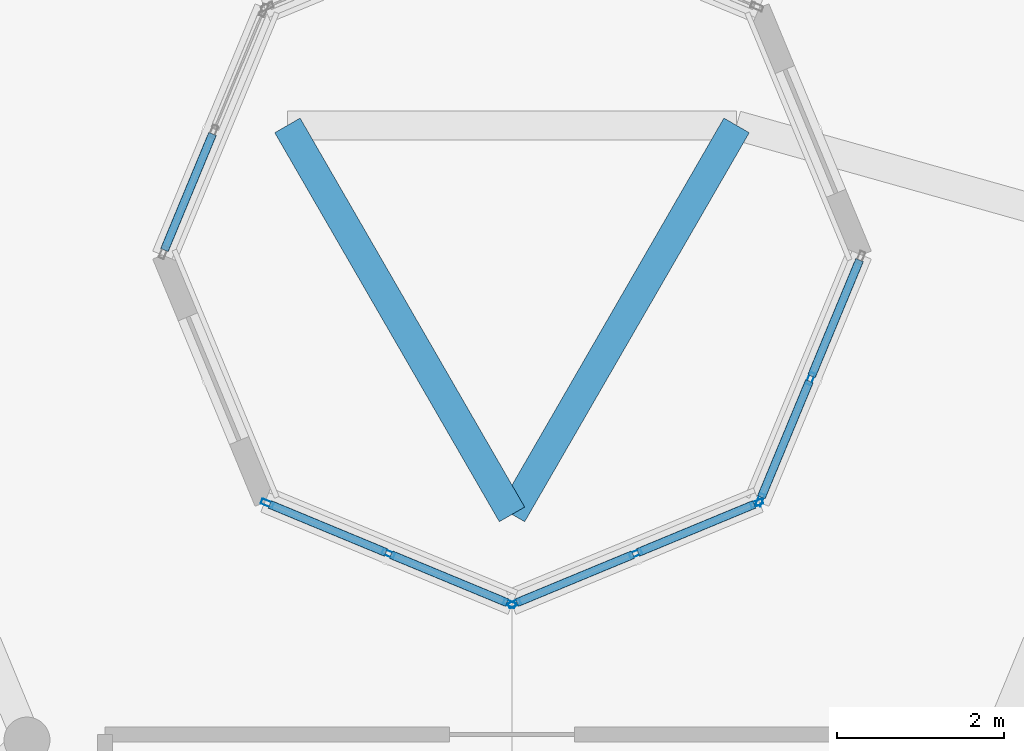
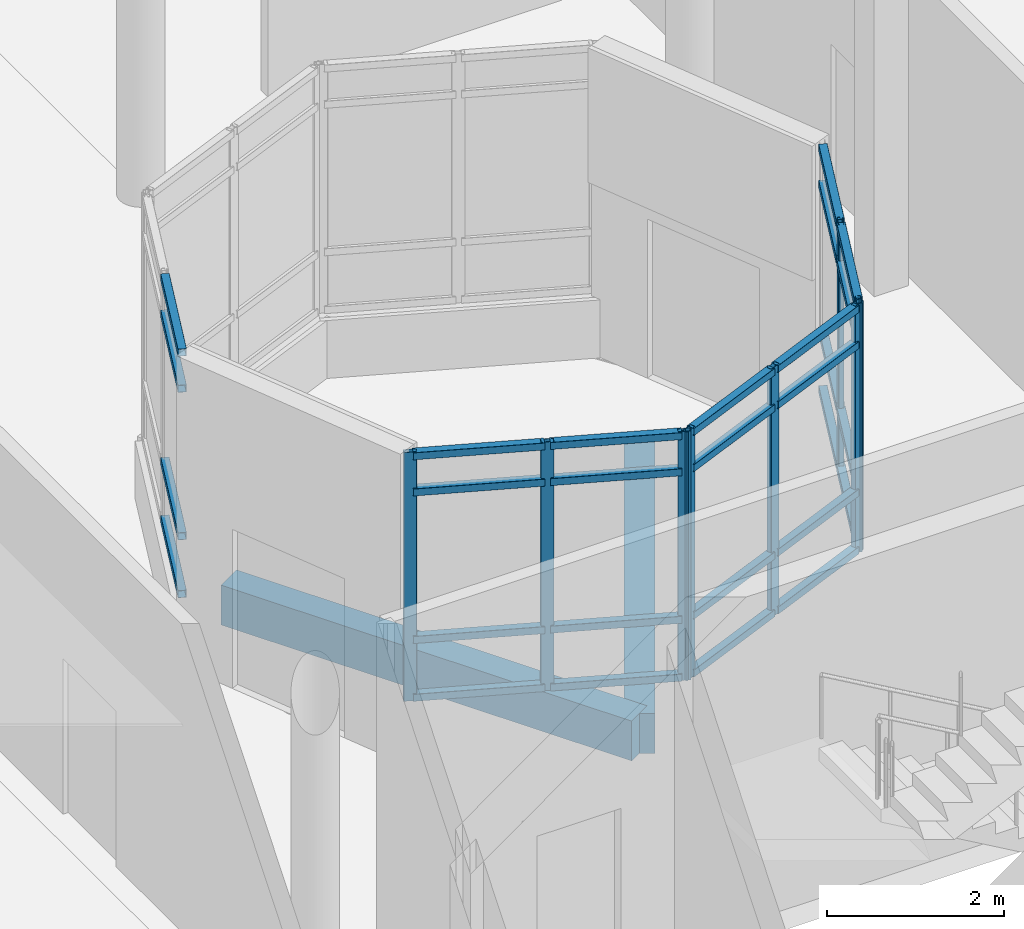
# One storey, part 69 of 129: 36 members, 2 beams, 4 elements without a shape of their own.
"""IFC4 building model written with IfcOpenShell, lengths in metres."""

from ifc_helpers import new_model, si_unit, direction, frame, origin, origin_2d, place, context, subcontext, project, spatial, rectangle, hollow_rectangle, extrude, material, layer, layer_set, material_profile, profile_set, type_object, element, aggregate, save


model = new_model("IFC4")

# Units and contexts
model_context = context("Model", 3, precision=1e-05, world=origin(), true_north=direction((0.0, 1.0)))
body_context = subcontext(model_context, "Body", "Model", "MODEL_VIEW")
ifc_project = project(units=[si_unit("LENGTHUNIT", "METRE"), si_unit("AREAUNIT", "SQUARE_METRE"), si_unit("VOLUMEUNIT", "CUBIC_METRE"), si_unit("PLANEANGLEUNIT", "RADIAN"), si_unit("MASSUNIT", "GRAM", prefix="KILO")], contexts=[model_context])

# Site, building, storey
site_placement = place(None, origin())
site = spatial("IfcSite", under=ifc_project, at=site_placement, CompositionType="ELEMENT")
building_placement = place(site_placement, origin())
building = spatial("IfcBuilding", under=site, at=building_placement, Name="Vespera Passage Community Centre", CompositionType="ELEMENT")
storey_placement = place(building_placement, origin())
storey = spatial("IfcBuildingStorey", under=building, at=storey_placement, Name="L00", CompositionType="ELEMENT", Elevation=0.0)

# Beams
ifc_material_1 = material(Name="Concrete f'c 35 MPa", Category="concrete")
ifc_material_profile_1 = material_profile(ifc_material_1, rectangle(XDim=0.35009765625, YDim=0.550048828125, at=origin_2d()), Name="RC350X550")
ifc_profile_set_1 = profile_set([ifc_material_profile_1], Name="Concrete f'c 35 MPa")
beam_type = type_object("IfcBeamType", Name="BM-J-350X550", PredefinedType="JOIST", material=ifc_profile_set_1)
for number, where, z_axis, x_axis, name in (
    (1, (138.315185546875, 26.550048828125, -0.614990234375), (0.500007141444, -0.86602128063, 0.0), (0.86602128063, 0.500007141444, 0.0), "V3 Courtyard Paving Ring Beam 2"),
    (2, (141.0, 21.89990234375, -0.614990234375), (0.500007141444, 0.86602128063, 0.0), (-0.86602128063, 0.500007141444, 0.0), "V3 Courtyard Paving Ring Beam 3"),
):
    element("IfcBeam", number, at=place(storey_placement, frame(where, z_axis=z_axis, x_axis=x_axis)), inside=storey, type_object=beam_type, Name=name, PredefinedType="JOIST", context=body_context, shape_type="SweptSolid", body=[
        extrude(rectangle(XDim=0.35009765625, YDim=0.550048828125, at=origin_2d()), origin(), (0.0, 0.0, 1.0), 5.36962890625),
    ])

# Curtain wall, members
ifc_material_2 = material(Name="Anodized aluminium 6063-T6", Category="aluminium")
ifc_layer = layer(ifc_material_2, 0.159912109375)
ifc_layer_set = layer_set([ifc_layer], Name="Anodized aluminium 6063-T6")
curtain_wall_type = type_object("IfcCurtainWallType", Name="CW-104E", PredefinedType="NOTDEFINED", material=ifc_layer_set)
curtain_wall_1_placement = place(storey_placement, origin())
curtain_wall_1 = element("IfcCurtainWall", 3, at=curtain_wall_1_placement, inside=storey, type_object=curtain_wall_type, Name="V3 L00 Inner Court Ribbon Curtain Wall 6", PredefinedType="NOTDEFINED")
ifc_material_3 = material(Name="Anodized aluminium 6063-T6", Category="aluminium")
ifc_material_profile_2 = material_profile(ifc_material_3, hollow_rectangle(XDim=0.06494140625, YDim=0.14990234375, WallThickness=0.00390625, InnerFilletRadius=0.001953125, OuterFilletRadius=0.00390625, at=origin_2d()), Name="ALU150X65X4")
ifc_profile_set_2 = profile_set([ifc_material_profile_2], Name="Anodized aluminium 6063-T6")
member_type_1 = type_object("IfcMemberType", Name="MB-CWM-150E", PredefinedType="MULLION", material=ifc_profile_set_2)
member_1_placement = place(storey_placement, frame((138.07421875, 22.031982421875, 0.800048828125), z_axis=(0.0, 0.0, 1.0), x_axis=(0.382685826549, 0.923878540804, 0.0)))
member_1 = element("IfcMember", 4, at=member_1_placement, type_object=member_type_1, Name="CW-104E mullion 1", PredefinedType="MULLION", context=body_context, shape_type="SweptSolid", body=[
    extrude(hollow_rectangle(XDim=0.06494140625, YDim=0.14990234375, WallThickness=0.00390625, InnerFilletRadius=0.001953125, OuterFilletRadius=0.00390625, at=origin_2d()), origin(), (0.0, 0.0, 1.0), 3.43994140625),
])
member_2_placement = place(storey_placement, frame((139.522216796875, 21.43212890625, 0.800048828125), z_axis=(0.0, 0.0, 1.0), x_axis=(0.382685826549, 0.923878540804, 0.0)))
member_2 = element("IfcMember", 5, at=member_2_placement, type_object=member_type_1, Name="CW-104E mullion 2", PredefinedType="MULLION", context=body_context, shape_type="SweptSolid", body=[
    extrude(hollow_rectangle(XDim=0.06494140625, YDim=0.14990234375, WallThickness=0.00390625, InnerFilletRadius=0.001953125, OuterFilletRadius=0.00390625, at=origin_2d()), origin(), (0.0, 0.0, 1.0), 3.43994140625),
])
member_3_placement = place(storey_placement, frame((140.969970703125, 20.83251953125, 0.800048828125), z_axis=(0.0, 0.0, 1.0), x_axis=(0.382685826549, 0.923878540804, 0.0)))
member_3 = element("IfcMember", 6, at=member_3_placement, type_object=member_type_1, Name="CW-104E mullion 3", PredefinedType="MULLION", context=body_context, shape_type="SweptSolid", body=[
    extrude(hollow_rectangle(XDim=0.06494140625, YDim=0.14990234375, WallThickness=0.00390625, InnerFilletRadius=0.001953125, OuterFilletRadius=0.00390625, at=origin_2d()), origin(), (0.0, 0.0, 1.0), 3.43994140625),
])

curtain_wall_2_placement = place(storey_placement, origin())
curtain_wall_2 = element("IfcCurtainWall", 7, at=curtain_wall_2_placement, inside=storey, type_object=curtain_wall_type, Name="V3 L00 Inner Court Ribbon Curtain Wall 7", PredefinedType="NOTDEFINED")
member_4_placement = place(storey_placement, frame((141.030029296875, 20.83251953125, 0.800048828125), z_axis=(0.0, 0.0, 1.0), x_axis=(-0.382685826549, 0.923878540804, 0.0)))
member_4 = element("IfcMember", 8, at=member_4_placement, type_object=member_type_1, Name="CW-104E mullion 1", PredefinedType="MULLION", context=body_context, shape_type="SweptSolid", body=[
    extrude(hollow_rectangle(XDim=0.06494140625, YDim=0.14990234375, WallThickness=0.00390625, InnerFilletRadius=0.001953125, OuterFilletRadius=0.00390625, at=origin_2d()), origin(), (0.0, 0.0, 1.0), 3.43994140625),
])
member_5_placement = place(storey_placement, frame((142.477783203125, 21.43212890625, 0.800048828125), z_axis=(0.0, 0.0, 1.0), x_axis=(-0.382685826549, 0.923878540804, 0.0)))
member_5 = element("IfcMember", 9, at=member_5_placement, type_object=member_type_1, Name="CW-104E mullion 2", PredefinedType="MULLION", context=body_context, shape_type="SweptSolid", body=[
    extrude(hollow_rectangle(XDim=0.06494140625, YDim=0.14990234375, WallThickness=0.00390625, InnerFilletRadius=0.001953125, OuterFilletRadius=0.00390625, at=origin_2d()), origin(), (0.0, 0.0, 1.0), 3.43994140625),
])
member_6_placement = place(storey_placement, frame((143.92578125, 22.031982421875, 0.800048828125), z_axis=(0.0, 0.0, 1.0), x_axis=(-0.382685826549, 0.923878540804, 0.0)))
member_6 = element("IfcMember", 10, at=member_6_placement, type_object=member_type_1, Name="CW-104E mullion 3", PredefinedType="MULLION", context=body_context, shape_type="SweptSolid", body=[
    extrude(hollow_rectangle(XDim=0.06494140625, YDim=0.14990234375, WallThickness=0.00390625, InnerFilletRadius=0.001953125, OuterFilletRadius=0.00390625, at=origin_2d()), origin(), (0.0, 0.0, 1.0), 3.43994140625),
])

curtain_wall_3_placement = place(storey_placement, origin())
curtain_wall_3 = element("IfcCurtainWall", 11, at=curtain_wall_3_placement, inside=storey, type_object=curtain_wall_type, Name="V3 L00 Inner Court Ribbon Curtain Wall 8", PredefinedType="NOTDEFINED")
member_7_placement = place(storey_placement, frame((143.968017578125, 22.07421875, 0.800048828125), z_axis=(0.0, 0.0, 1.0), x_axis=(-0.923878540804, 0.382685826549, 0.0)))
member_7 = element("IfcMember", 12, at=member_7_placement, type_object=member_type_1, Name="CW-104E mullion 1", PredefinedType="MULLION", context=body_context, shape_type="SweptSolid", body=[
    extrude(hollow_rectangle(XDim=0.06494140625, YDim=0.14990234375, WallThickness=0.00390625, InnerFilletRadius=0.001953125, OuterFilletRadius=0.00390625, at=origin_2d()), origin(), (0.0, 0.0, 1.0), 3.43994140625),
])
member_8_placement = place(storey_placement, frame((144.56787109375, 23.522216796875, 0.800048828125), z_axis=(0.0, 0.0, 1.0), x_axis=(-0.923878540804, 0.382685826549, 0.0)))
member_8 = element("IfcMember", 13, at=member_8_placement, type_object=member_type_1, Name="CW-104E mullion 2", PredefinedType="MULLION", context=body_context, shape_type="SweptSolid", body=[
    extrude(hollow_rectangle(XDim=0.06494140625, YDim=0.14990234375, WallThickness=0.00390625, InnerFilletRadius=0.001953125, OuterFilletRadius=0.00390625, at=origin_2d()), origin(), (0.0, 0.0, 1.0), 3.43994140625),
])

curtain_wall_4_placement = place(storey_placement, origin())
curtain_wall_4 = element("IfcCurtainWall", 14, at=curtain_wall_4_placement, inside=storey, type_object=curtain_wall_type, Name="V3 L00 Inner Court Ribbon Curtain Wall 4", PredefinedType="NOTDEFINED")
ifc_material_4 = material(Name="Anodized aluminium 6063-T6", Category="aluminium")
ifc_material_profile_3 = material_profile(ifc_material_4, hollow_rectangle(XDim=0.10009765625, YDim=0.10009765625, WallThickness=0.00390625, InnerFilletRadius=0.001953125, OuterFilletRadius=0.00390625, at=origin_2d()), Name="ALU100X100X4")
ifc_profile_set_3 = profile_set([ifc_material_profile_3], Name="Anodized aluminium 6063-T6")
member_type_2 = type_object("IfcMemberType", Name="MB-CWT-100E", PredefinedType="USERDEFINED", material=ifc_profile_set_3)
member_9_placement = place(storey_placement, frame((137.419677734375, 26.44775390625, 0.85009765625), z_axis=(-0.382629338474, -0.923901937079, 0.0), x_axis=(0.923901937079, -0.382629338474, 0.0)))
member_9 = element("IfcMember", 15, at=member_9_placement, type_object=member_type_2, Name="CW-104E transom 2.1", ObjectType="TRANSOM", PredefinedType="USERDEFINED", context=body_context, shape_type="SweptSolid", body=[
    extrude(hollow_rectangle(XDim=0.10009765625, YDim=0.10009765625, WallThickness=0.00390625, InnerFilletRadius=0.001953125, OuterFilletRadius=0.00390625, at=origin_2d()), origin(), (0.0, 0.0, 1.0), 1.501953125),
])
member_10_placement = place(storey_placement, frame((137.419677734375, 26.44775390625, 1.64990234375), z_axis=(-0.382629338474, -0.923901937079, 0.0), x_axis=(0.923901937079, -0.382629338474, 0.0)))
member_10 = element("IfcMember", 16, at=member_10_placement, type_object=member_type_2, Name="CW-104E transom 2.2", ObjectType="TRANSOM", PredefinedType="USERDEFINED", context=body_context, shape_type="SweptSolid", body=[
    extrude(hollow_rectangle(XDim=0.10009765625, YDim=0.10009765625, WallThickness=0.00390625, InnerFilletRadius=0.001953125, OuterFilletRadius=0.00390625, at=origin_2d()), origin(), (0.0, 0.0, 1.0), 1.501953125),
])
member_11_placement = place(storey_placement, frame((137.419677734375, 26.44775390625, 3.68994140625), z_axis=(-0.382629338474, -0.923901937079, 0.0), x_axis=(0.923901937079, -0.382629338474, 0.0)))
member_11 = element("IfcMember", 17, at=member_11_placement, type_object=member_type_2, Name="CW-104E transom 2.3", ObjectType="TRANSOM", PredefinedType="USERDEFINED", context=body_context, shape_type="SweptSolid", body=[
    extrude(hollow_rectangle(XDim=0.10009765625, YDim=0.10009765625, WallThickness=0.00390625, InnerFilletRadius=0.001953125, OuterFilletRadius=0.00390625, at=origin_2d()), origin(), (0.0, 0.0, 1.0), 1.501953125),
])
member_12_placement = place(storey_placement, frame((137.419677734375, 26.44775390625, 4.18994140625), z_axis=(-0.382629338474, -0.923901937079, 0.0), x_axis=(0.923901937079, -0.382629338474, 0.0)))
member_12 = element("IfcMember", 18, at=member_12_placement, type_object=member_type_2, Name="CW-104E transom 2.4", ObjectType="TRANSOM", PredefinedType="USERDEFINED", context=body_context, shape_type="SweptSolid", body=[
    extrude(hollow_rectangle(XDim=0.10009765625, YDim=0.10009765625, WallThickness=0.00390625, InnerFilletRadius=0.001953125, OuterFilletRadius=0.00390625, at=origin_2d()), origin(), (0.0, 0.0, 1.0), 1.501953125),
])
aggregate(curtain_wall_4, [member_9, member_10, member_11, member_12])

# Member
member_13_placement = place(storey_placement, frame((138.104248046875, 22.01953125, 0.85009765625), z_axis=(0.923868276622, -0.382710605355, 0.0), x_axis=(0.382710605355, 0.923868276622, 0.0)))
member_13 = element("IfcMember", 19, at=member_13_placement, type_object=member_type_2, Name="CW-104E transom 1.1", ObjectType="TRANSOM", PredefinedType="USERDEFINED", context=body_context, shape_type="SweptSolid", body=[
    extrude(hollow_rectangle(XDim=0.10009765625, YDim=0.10009765625, WallThickness=0.00390625, InnerFilletRadius=0.001953125, OuterFilletRadius=0.00390625, at=origin_2d()), origin(), (0.0, 0.0, 1.0), 1.502197265625),
])

member_14_placement = place(storey_placement, frame((138.104248046875, 22.01953125, 1.64990234375), z_axis=(0.923868276622, -0.382710605355, 0.0), x_axis=(0.382710605355, 0.923868276622, 0.0)))
member_14 = element("IfcMember", 20, at=member_14_placement, type_object=member_type_2, Name="CW-104E transom 1.2", ObjectType="TRANSOM", PredefinedType="USERDEFINED", context=body_context, shape_type="SweptSolid", body=[
    extrude(hollow_rectangle(XDim=0.10009765625, YDim=0.10009765625, WallThickness=0.00390625, InnerFilletRadius=0.001953125, OuterFilletRadius=0.00390625, at=origin_2d()), origin(), (0.0, 0.0, 1.0), 1.502197265625),
])

member_15_placement = place(storey_placement, frame((138.104248046875, 22.01953125, 3.68994140625), z_axis=(0.923868276622, -0.382710605355, 0.0), x_axis=(0.382710605355, 0.923868276622, 0.0)))
member_15 = element("IfcMember", 21, at=member_15_placement, type_object=member_type_2, Name="CW-104E transom 1.3", ObjectType="TRANSOM", PredefinedType="USERDEFINED", context=body_context, shape_type="SweptSolid", body=[
    extrude(hollow_rectangle(XDim=0.10009765625, YDim=0.10009765625, WallThickness=0.00390625, InnerFilletRadius=0.001953125, OuterFilletRadius=0.00390625, at=origin_2d()), origin(), (0.0, 0.0, 1.0), 1.502197265625),
])

member_16_placement = place(storey_placement, frame((138.104248046875, 22.01953125, 4.18994140625), z_axis=(0.923868276622, -0.382710605355, 0.0), x_axis=(0.382710605355, 0.923868276622, 0.0)))
member_16 = element("IfcMember", 22, at=member_16_placement, type_object=member_type_2, Name="CW-104E transom 1.4", ObjectType="TRANSOM", PredefinedType="USERDEFINED", context=body_context, shape_type="SweptSolid", body=[
    extrude(hollow_rectangle(XDim=0.10009765625, YDim=0.10009765625, WallThickness=0.00390625, InnerFilletRadius=0.001953125, OuterFilletRadius=0.00390625, at=origin_2d()), origin(), (0.0, 0.0, 1.0), 1.502197265625),
])

member_17_placement = place(storey_placement, frame((139.55224609375, 21.419677734375, 0.85009765625), z_axis=(0.923901937079, -0.382629338474, 0.0), x_axis=(0.382629338474, 0.923901937079, 0.0)))
member_17 = element("IfcMember", 23, at=member_17_placement, type_object=member_type_2, Name="CW-104E transom 2.1", ObjectType="TRANSOM", PredefinedType="USERDEFINED", context=body_context, shape_type="SweptSolid", body=[
    extrude(hollow_rectangle(XDim=0.10009765625, YDim=0.10009765625, WallThickness=0.00390625, InnerFilletRadius=0.001953125, OuterFilletRadius=0.00390625, at=origin_2d()), origin(), (0.0, 0.0, 1.0), 1.501953125),
])

member_18_placement = place(storey_placement, frame((139.55224609375, 21.419677734375, 1.64990234375), z_axis=(0.923901937079, -0.382629338474, 0.0), x_axis=(0.382629338474, 0.923901937079, 0.0)))
member_18 = element("IfcMember", 24, at=member_18_placement, type_object=member_type_2, Name="CW-104E transom 2.2", ObjectType="TRANSOM", PredefinedType="USERDEFINED", context=body_context, shape_type="SweptSolid", body=[
    extrude(hollow_rectangle(XDim=0.10009765625, YDim=0.10009765625, WallThickness=0.00390625, InnerFilletRadius=0.001953125, OuterFilletRadius=0.00390625, at=origin_2d()), origin(), (0.0, 0.0, 1.0), 1.501953125),
])

member_19_placement = place(storey_placement, frame((139.55224609375, 21.419677734375, 3.68994140625), z_axis=(0.923901937079, -0.382629338474, 0.0), x_axis=(0.382629338474, 0.923901937079, 0.0)))
member_19 = element("IfcMember", 25, at=member_19_placement, type_object=member_type_2, Name="CW-104E transom 2.3", ObjectType="TRANSOM", PredefinedType="USERDEFINED", context=body_context, shape_type="SweptSolid", body=[
    extrude(hollow_rectangle(XDim=0.10009765625, YDim=0.10009765625, WallThickness=0.00390625, InnerFilletRadius=0.001953125, OuterFilletRadius=0.00390625, at=origin_2d()), origin(), (0.0, 0.0, 1.0), 1.501953125),
])

member_20_placement = place(storey_placement, frame((139.55224609375, 21.419677734375, 4.18994140625), z_axis=(0.923901937079, -0.382629338474, 0.0), x_axis=(0.382629338474, 0.923901937079, 0.0)))
member_20 = element("IfcMember", 26, at=member_20_placement, type_object=member_type_2, Name="CW-104E transom 2.4", ObjectType="TRANSOM", PredefinedType="USERDEFINED", context=body_context, shape_type="SweptSolid", body=[
    extrude(hollow_rectangle(XDim=0.10009765625, YDim=0.10009765625, WallThickness=0.00390625, InnerFilletRadius=0.001953125, OuterFilletRadius=0.00390625, at=origin_2d()), origin(), (0.0, 0.0, 1.0), 1.501953125),
])

aggregate(curtain_wall_1, [member_1, member_2, member_3, member_13, member_14, member_15, member_16, member_17, member_18, member_19, member_20])

member_21_placement = place(storey_placement, frame((141.06005859375, 20.844970703125, 0.85009765625), z_axis=(0.923901937079, 0.382629338474, 0.0), x_axis=(-0.382629338474, 0.923901937079, 0.0)))
member_21 = element("IfcMember", 27, at=member_21_placement, type_object=member_type_2, Name="CW-104E transom 1.1", ObjectType="TRANSOM", PredefinedType="USERDEFINED", context=body_context, shape_type="SweptSolid", body=[
    extrude(hollow_rectangle(XDim=0.10009765625, YDim=0.10009765625, WallThickness=0.00390625, InnerFilletRadius=0.001953125, OuterFilletRadius=0.00390625, at=origin_2d()), origin(), (0.0, 0.0, 1.0), 1.501953125),
])

member_22_placement = place(storey_placement, frame((141.06005859375, 20.844970703125, 1.64990234375), z_axis=(0.923901937079, 0.382629338474, 0.0), x_axis=(-0.382629338474, 0.923901937079, 0.0)))
member_22 = element("IfcMember", 28, at=member_22_placement, type_object=member_type_2, Name="CW-104E transom 1.2", ObjectType="TRANSOM", PredefinedType="USERDEFINED", context=body_context, shape_type="SweptSolid", body=[
    extrude(hollow_rectangle(XDim=0.10009765625, YDim=0.10009765625, WallThickness=0.00390625, InnerFilletRadius=0.001953125, OuterFilletRadius=0.00390625, at=origin_2d()), origin(), (0.0, 0.0, 1.0), 1.501953125),
])

member_23_placement = place(storey_placement, frame((141.06005859375, 20.844970703125, 3.68994140625), z_axis=(0.923901937079, 0.382629338474, 0.0), x_axis=(-0.382629338474, 0.923901937079, 0.0)))
member_23 = element("IfcMember", 29, at=member_23_placement, type_object=member_type_2, Name="CW-104E transom 1.3", ObjectType="TRANSOM", PredefinedType="USERDEFINED", context=body_context, shape_type="SweptSolid", body=[
    extrude(hollow_rectangle(XDim=0.10009765625, YDim=0.10009765625, WallThickness=0.00390625, InnerFilletRadius=0.001953125, OuterFilletRadius=0.00390625, at=origin_2d()), origin(), (0.0, 0.0, 1.0), 1.501953125),
])

member_24_placement = place(storey_placement, frame((141.06005859375, 20.844970703125, 4.18994140625), z_axis=(0.923901937079, 0.382629338474, 0.0), x_axis=(-0.382629338474, 0.923901937079, 0.0)))
member_24 = element("IfcMember", 30, at=member_24_placement, type_object=member_type_2, Name="CW-104E transom 1.4", ObjectType="TRANSOM", PredefinedType="USERDEFINED", context=body_context, shape_type="SweptSolid", body=[
    extrude(hollow_rectangle(XDim=0.10009765625, YDim=0.10009765625, WallThickness=0.00390625, InnerFilletRadius=0.001953125, OuterFilletRadius=0.00390625, at=origin_2d()), origin(), (0.0, 0.0, 1.0), 1.501953125),
])

member_25_placement = place(storey_placement, frame((142.5078125, 21.444580078125, 0.85009765625), z_axis=(0.923868276622, 0.382710605355, 0.0), x_axis=(-0.382710605355, 0.923868276622, 0.0)))
member_25 = element("IfcMember", 31, at=member_25_placement, type_object=member_type_2, Name="CW-104E transom 2.1", ObjectType="TRANSOM", PredefinedType="USERDEFINED", context=body_context, shape_type="SweptSolid", body=[
    extrude(hollow_rectangle(XDim=0.10009765625, YDim=0.10009765625, WallThickness=0.00390625, InnerFilletRadius=0.001953125, OuterFilletRadius=0.00390625, at=origin_2d()), origin(), (0.0, 0.0, 1.0), 1.502197265625),
])

member_26_placement = place(storey_placement, frame((142.5078125, 21.444580078125, 1.64990234375), z_axis=(0.923868276622, 0.382710605355, 0.0), x_axis=(-0.382710605355, 0.923868276622, 0.0)))
member_26 = element("IfcMember", 32, at=member_26_placement, type_object=member_type_2, Name="CW-104E transom 2.2", ObjectType="TRANSOM", PredefinedType="USERDEFINED", context=body_context, shape_type="SweptSolid", body=[
    extrude(hollow_rectangle(XDim=0.10009765625, YDim=0.10009765625, WallThickness=0.00390625, InnerFilletRadius=0.001953125, OuterFilletRadius=0.00390625, at=origin_2d()), origin(), (0.0, 0.0, 1.0), 1.502197265625),
])

member_27_placement = place(storey_placement, frame((142.5078125, 21.444580078125, 3.68994140625), z_axis=(0.923868276622, 0.382710605355, 0.0), x_axis=(-0.382710605355, 0.923868276622, 0.0)))
member_27 = element("IfcMember", 33, at=member_27_placement, type_object=member_type_2, Name="CW-104E transom 2.3", ObjectType="TRANSOM", PredefinedType="USERDEFINED", context=body_context, shape_type="SweptSolid", body=[
    extrude(hollow_rectangle(XDim=0.10009765625, YDim=0.10009765625, WallThickness=0.00390625, InnerFilletRadius=0.001953125, OuterFilletRadius=0.00390625, at=origin_2d()), origin(), (0.0, 0.0, 1.0), 1.502197265625),
])

member_28_placement = place(storey_placement, frame((142.5078125, 21.444580078125, 4.18994140625), z_axis=(0.923868276622, 0.382710605355, 0.0), x_axis=(-0.382710605355, 0.923868276622, 0.0)))
member_28 = element("IfcMember", 34, at=member_28_placement, type_object=member_type_2, Name="CW-104E transom 2.4", ObjectType="TRANSOM", PredefinedType="USERDEFINED", context=body_context, shape_type="SweptSolid", body=[
    extrude(hollow_rectangle(XDim=0.10009765625, YDim=0.10009765625, WallThickness=0.00390625, InnerFilletRadius=0.001953125, OuterFilletRadius=0.00390625, at=origin_2d()), origin(), (0.0, 0.0, 1.0), 1.502197265625),
])

aggregate(curtain_wall_2, [member_4, member_5, member_6, member_21, member_22, member_23, member_24, member_25, member_26, member_27, member_28])

member_29_placement = place(storey_placement, frame((143.98046875, 22.104248046875, 0.85009765625), z_axis=(0.382710605355, 0.923868276622, 0.0), x_axis=(-0.923868276622, 0.382710605355, 0.0)))
member_29 = element("IfcMember", 35, at=member_29_placement, type_object=member_type_2, Name="CW-104E transom 1.1", ObjectType="TRANSOM", PredefinedType="USERDEFINED", context=body_context, shape_type="SweptSolid", body=[
    extrude(hollow_rectangle(XDim=0.10009765625, YDim=0.10009765625, WallThickness=0.00390625, InnerFilletRadius=0.001953125, OuterFilletRadius=0.00390625, at=origin_2d()), origin(), (0.0, 0.0, 1.0), 1.502197265625),
])

member_30_placement = place(storey_placement, frame((143.98046875, 22.104248046875, 1.64990234375), z_axis=(0.382710605355, 0.923868276622, 0.0), x_axis=(-0.923868276622, 0.382710605355, 0.0)))
member_30 = element("IfcMember", 36, at=member_30_placement, type_object=member_type_2, Name="CW-104E transom 1.2", ObjectType="TRANSOM", PredefinedType="USERDEFINED", context=body_context, shape_type="SweptSolid", body=[
    extrude(hollow_rectangle(XDim=0.10009765625, YDim=0.10009765625, WallThickness=0.00390625, InnerFilletRadius=0.001953125, OuterFilletRadius=0.00390625, at=origin_2d()), origin(), (0.0, 0.0, 1.0), 1.502197265625),
])

member_31_placement = place(storey_placement, frame((143.98046875, 22.104248046875, 3.68994140625), z_axis=(0.382710605355, 0.923868276622, 0.0), x_axis=(-0.923868276622, 0.382710605355, 0.0)))
member_31 = element("IfcMember", 37, at=member_31_placement, type_object=member_type_2, Name="CW-104E transom 1.3", ObjectType="TRANSOM", PredefinedType="USERDEFINED", context=body_context, shape_type="SweptSolid", body=[
    extrude(hollow_rectangle(XDim=0.10009765625, YDim=0.10009765625, WallThickness=0.00390625, InnerFilletRadius=0.001953125, OuterFilletRadius=0.00390625, at=origin_2d()), origin(), (0.0, 0.0, 1.0), 1.502197265625),
])

member_32_placement = place(storey_placement, frame((143.98046875, 22.104248046875, 4.18994140625), z_axis=(0.382710605355, 0.923868276622, 0.0), x_axis=(-0.923868276622, 0.382710605355, 0.0)))
member_32 = element("IfcMember", 38, at=member_32_placement, type_object=member_type_2, Name="CW-104E transom 1.4", ObjectType="TRANSOM", PredefinedType="USERDEFINED", context=body_context, shape_type="SweptSolid", body=[
    extrude(hollow_rectangle(XDim=0.10009765625, YDim=0.10009765625, WallThickness=0.00390625, InnerFilletRadius=0.001953125, OuterFilletRadius=0.00390625, at=origin_2d()), origin(), (0.0, 0.0, 1.0), 1.502197265625),
])

member_33_placement = place(storey_placement, frame((144.580322265625, 23.55224609375, 0.85009765625), z_axis=(0.382629338474, 0.923901937079, 0.0), x_axis=(-0.923901937079, 0.382629338474, 0.0)))
member_33 = element("IfcMember", 39, at=member_33_placement, type_object=member_type_2, Name="CW-104E transom 2.1", ObjectType="TRANSOM", PredefinedType="USERDEFINED", context=body_context, shape_type="SweptSolid", body=[
    extrude(hollow_rectangle(XDim=0.10009765625, YDim=0.10009765625, WallThickness=0.00390625, InnerFilletRadius=0.001953125, OuterFilletRadius=0.00390625, at=origin_2d()), origin(), (0.0, 0.0, 1.0), 1.501953125),
])

member_34_placement = place(storey_placement, frame((144.580322265625, 23.55224609375, 1.64990234375), z_axis=(0.382629338474, 0.923901937079, 0.0), x_axis=(-0.923901937079, 0.382629338474, 0.0)))
member_34 = element("IfcMember", 40, at=member_34_placement, type_object=member_type_2, Name="CW-104E transom 2.2", ObjectType="TRANSOM", PredefinedType="USERDEFINED", context=body_context, shape_type="SweptSolid", body=[
    extrude(hollow_rectangle(XDim=0.10009765625, YDim=0.10009765625, WallThickness=0.00390625, InnerFilletRadius=0.001953125, OuterFilletRadius=0.00390625, at=origin_2d()), origin(), (0.0, 0.0, 1.0), 1.501953125),
])

member_35_placement = place(storey_placement, frame((144.580322265625, 23.55224609375, 3.68994140625), z_axis=(0.382629338474, 0.923901937079, 0.0), x_axis=(-0.923901937079, 0.382629338474, 0.0)))
member_35 = element("IfcMember", 41, at=member_35_placement, type_object=member_type_2, Name="CW-104E transom 2.3", ObjectType="TRANSOM", PredefinedType="USERDEFINED", context=body_context, shape_type="SweptSolid", body=[
    extrude(hollow_rectangle(XDim=0.10009765625, YDim=0.10009765625, WallThickness=0.00390625, InnerFilletRadius=0.001953125, OuterFilletRadius=0.00390625, at=origin_2d()), origin(), (0.0, 0.0, 1.0), 1.501953125),
])

member_36_placement = place(storey_placement, frame((144.580322265625, 23.55224609375, 4.18994140625), z_axis=(0.382629338474, 0.923901937079, 0.0), x_axis=(-0.923901937079, 0.382629338474, 0.0)))
member_36 = element("IfcMember", 42, at=member_36_placement, type_object=member_type_2, Name="CW-104E transom 2.4", ObjectType="TRANSOM", PredefinedType="USERDEFINED", context=body_context, shape_type="SweptSolid", body=[
    extrude(hollow_rectangle(XDim=0.10009765625, YDim=0.10009765625, WallThickness=0.00390625, InnerFilletRadius=0.001953125, OuterFilletRadius=0.00390625, at=origin_2d()), origin(), (0.0, 0.0, 1.0), 1.501953125),
])

aggregate(curtain_wall_3, [member_7, member_8, member_29, member_30, member_31, member_32, member_33, member_34, member_35, member_36])

save(model, "model.ifc")
